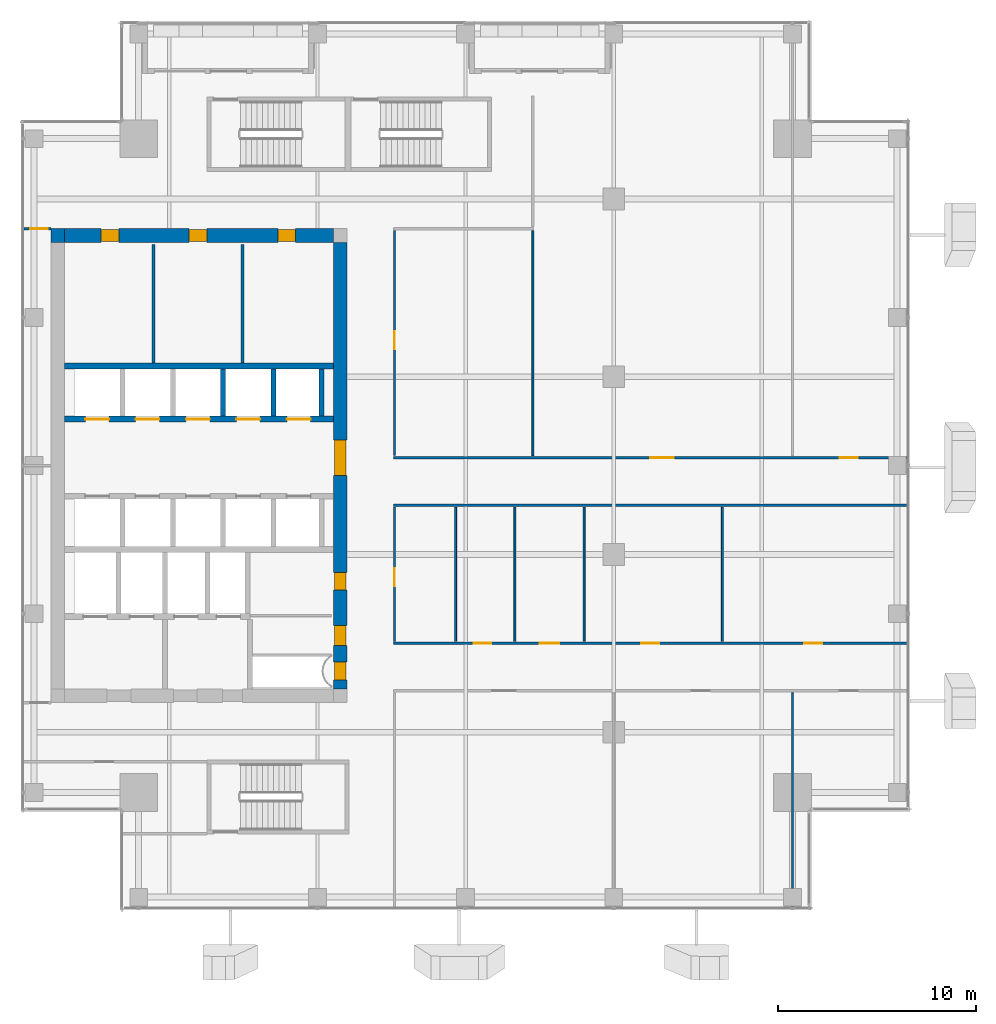
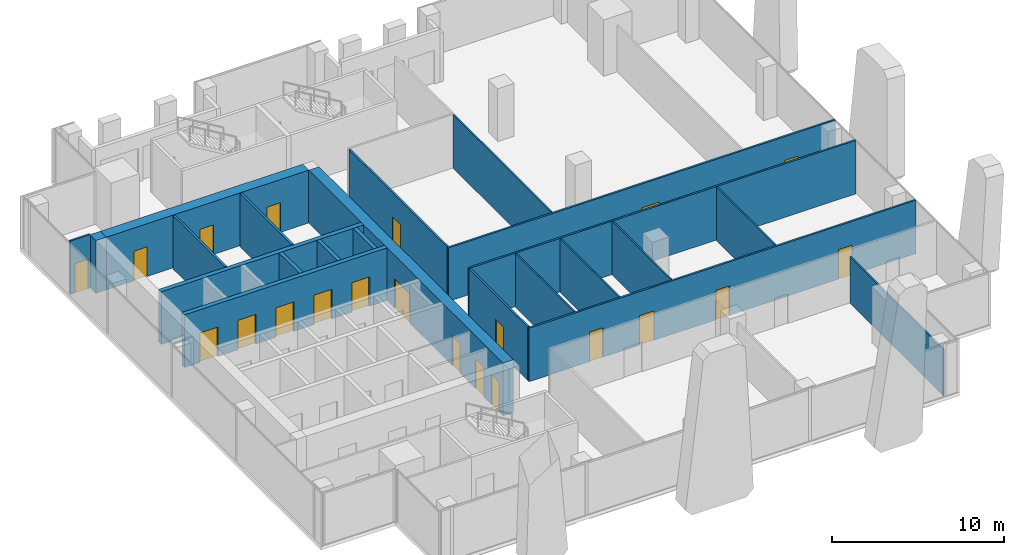
# One storey, part 32 of 36: 22 walls, 21 doors, 21 openings.
"""IFC4 building model written with IfcOpenShell, lengths in metres."""

from ifc_helpers import new_model, si_unit, direction, frame, frame_2d, origin, place, context, subcontext, project, spatial, rectangle, extrude, source, transform, mapped, material, layer, layer_set, type_object, element, fill, save


model = new_model("IFC4")

# Units and contexts
model_context = context("Model", 3, precision=1e-05, world=origin(), true_north=direction((0.0, 1.0)))
body_context = subcontext(model_context, "Body", "Model", "MODEL_VIEW")
ifc_project = project(units=[si_unit("LENGTHUNIT", "METRE"), si_unit("AREAUNIT", "SQUARE_METRE"), si_unit("VOLUMEUNIT", "CUBIC_METRE"), si_unit("PLANEANGLEUNIT", "RADIAN"), si_unit("MASSUNIT", "GRAM", prefix="KILO")], contexts=[model_context])

# Site, building, storey
site_placement = place(None, origin())
site = spatial("IfcSite", under=ifc_project, at=site_placement, CompositionType="ELEMENT")
building_placement = place(site_placement, origin())
building = spatial("IfcBuilding", under=site, at=building_placement, Name="Khomas Fold Tower", CompositionType="ELEMENT")
storey_placement = place(building_placement, frame((0.0, 0.0, 238.199951171875)))
storey = spatial("IfcBuildingStorey", under=building, at=storey_placement, Name="L53", CompositionType="ELEMENT", Elevation=238.199951171875)

# Walls
ifc_material_1 = material(Name="Concrete C50/60", Category="concrete")
ifc_layer_1 = layer(ifc_material_1, 0.25)
ifc_layer_set_1 = layer_set([ifc_layer_1], Name="Concrete C50/60")
wall_type_1 = type_object("IfcWallType", Name="Shaft wall 250", PredefinedType="STANDARD", material=ifc_layer_set_1)
shared_shape_1 = source(origin(), body_context, "Body", "SweptSolid", [
    extrude(rectangle(XDim=2.39990234375, YDim=0.25, at=frame_2d((1.199951171875, 0.0))), origin(), (0.0, 0.0, 1.0), 3.75),
])
for number, where, z_axis, x_axis, name in (
    (1, (17.27490234375, 29.5, 0.0), (0.0, 0.0, 1.0), (0.0, 1.0, 0.0), "Core wall SW-HRN-MR-P1"),
    (2, (19.699951171875, 29.5, 0.0), (0.0, 0.0, 1.0), (0.0, 1.0, 0.0), "Core wall SW-HRN-MR-PE"),
    (3, (14.72509765625, 29.5, 0.0), (0.0, 0.0, 1.0), (0.0, 1.0, 0.0), "Core wall SW-HRN-PE"),
):
    element("IfcWall", number, at=place(storey_placement, frame(where, z_axis=z_axis, x_axis=x_axis)), inside=storey, type_object=wall_type_1, Name=name, PredefinedType="STANDARD", context=body_context, shape_type="MappedRepresentation", body=[
        mapped(shared_shape_1, transform((0.0, 0.0, 0.0))),
    ])

# Wall, openings, doors
ifc_material_2 = material(Name="Concrete C60/75", Category="concrete")
ifc_layer_2 = layer(ifc_material_2, 0.699951171875)
ifc_layer_set_2 = layer_set([ifc_layer_2], Name="Concrete C60/75")
wall_type_2 = type_object("IfcWallType", Name="Core wall 700", PredefinedType="SHEAR", material=ifc_layer_set_2)
shared_shape_2 = source(origin(), body_context, "Body", "SweptSolid", [
    extrude(rectangle(XDim=13.60009765625, YDim=0.699951171875, at=frame_2d((6.800048828125, 0.0))), origin(), (0.0, 0.0, 1.0), 3.75),
])
wall_1_placement = place(storey_placement, frame((6.699951171875, 38.64990234375, 0.0), z_axis=(0.0, 0.0, 1.0), x_axis=(1.0, 0.0, 0.0)))
wall_1 = element("IfcWall", 4, at=wall_1_placement, inside=storey, type_object=wall_type_2, Name="Core wall CW-U-N-L49", PredefinedType="SHEAR", context=body_context, shape_type="MappedRepresentation", body=[
    mapped(shared_shape_2, transform((0.0, 0.0, 0.0))),
])
shared_shape_3 = source(origin(), body_context, "Body", "SweptSolid", [
    extrude(rectangle(XDim=0.89990234375, YDim=2.10009765625, at=frame_2d((0.449951171875, 1.050048828125))), frame((0.0, 0.35986328125, 0.0), z_axis=(0.0, -1.0, 0.0), x_axis=(1.0, 0.0, 0.0)), (0.0, 0.0, 1.0), 0.719970703125),
])
opening_1_placement = place(wall_1_placement, frame((1.85009765625, 0.0, 0.0)))
opening_1 = element("IfcOpeningElement", 5, at=opening_1_placement, cuts=wall_1, Name="Opening 0003", PredefinedType="OPENING", context=body_context, shape_type="MappedRepresentation", body=[
    mapped(shared_shape_3, transform((0.0, 0.0, 0.0))),
])
opening_2_placement = place(wall_1_placement, frame((6.300048828125, 0.0, 0.0)))
opening_2 = element("IfcOpeningElement", 6, at=opening_2_placement, cuts=wall_1, Name="Opening 0003", PredefinedType="OPENING", context=body_context, shape_type="MappedRepresentation", body=[
    mapped(shared_shape_3, transform((0.0, 0.0, 0.0))),
])
opening_3_placement = place(wall_1_placement, frame((10.800048828125, 0.0, 0.0)))
opening_3 = element("IfcOpeningElement", 7, at=opening_3_placement, cuts=wall_1, Name="Opening 0008", PredefinedType="OPENING", context=body_context, shape_type="MappedRepresentation", body=[
    mapped(shared_shape_3, transform((0.0, 0.0, 0.0))),
])
ifc_material_3 = material(Name="Steel door leaf", Category="steel")
door_type_1 = type_object("IfcDoorType", Name="Plant room door 900x2100 right-hand", OperationType="SINGLE_SWING_RIGHT", PredefinedType="DOOR", material=ifc_material_3)
shared_shape_4 = source(origin(), body_context, "Body", "SweptSolid", [
    extrude(rectangle(XDim=0.89990234375, YDim=2.10009765625, at=frame_2d((0.449951171875, 1.050048828125))), frame((0.0, 0.2998046875, 0.0), z_axis=(0.0, -1.0, 0.0), x_axis=(1.0, 0.0, 0.0)), (0.0, 0.0, 1.0), 0.599853515625),
])
door_1_placement = place(opening_1_placement, origin())
door_1 = element("IfcDoor", 8, at=door_1_placement, inside=storey, type_object=door_type_1, Name="Plant room door", OperationType="SINGLE_SWING_RIGHT", OverallHeight=2.10009765625, OverallWidth=0.89990234375, PredefinedType="DOOR", context=body_context, shape_type="MappedRepresentation", body=[
    mapped(shared_shape_4, transform((0.0, 0.0, 0.0))),
])
fill(opening_1, door_1)
door_2_placement = place(opening_2_placement, origin())
door_2 = element("IfcDoor", 9, at=door_2_placement, inside=storey, type_object=door_type_1, Name="Plant room door", OperationType="SINGLE_SWING_RIGHT", OverallHeight=2.10009765625, OverallWidth=0.89990234375, PredefinedType="DOOR", context=body_context, shape_type="MappedRepresentation", body=[
    mapped(shared_shape_4, transform((0.0, 0.0, 0.0))),
])
fill(opening_2, door_2)
ifc_material_4 = material(Name="Timber door leaf", Category="wood")
door_type_2 = type_object("IfcDoorType", Name="Door 900x2100 right-hand", OperationType="SINGLE_SWING_RIGHT", PredefinedType="DOOR", material=ifc_material_4)
door_3_placement = place(opening_3_placement, origin())
door_3 = element("IfcDoor", 10, at=door_3_placement, inside=storey, type_object=door_type_2, Name="Door", OperationType="SINGLE_SWING_RIGHT", OverallHeight=2.10009765625, OverallWidth=0.89990234375, PredefinedType="DOOR", context=body_context, shape_type="MappedRepresentation", body=[
    mapped(shared_shape_4, transform((0.0, 0.0, 0.0))),
])
fill(opening_3, door_3)

# Wall
ifc_material_5 = material(Name="Concrete C60/75", Category="concrete")
ifc_layer_3 = layer(ifc_material_5, 0.699951171875)
ifc_layer_set_3 = layer_set([ifc_layer_3], Name="Concrete C60/75")
wall_type_3 = type_object("IfcWallType", Name="Core corner wall 700", PredefinedType="SHEAR", material=ifc_layer_set_3)
shared_shape_5 = source(origin(), body_context, "Body", "SweptSolid", [
    extrude(rectangle(XDim=0.699951171875, YDim=0.699951171875, at=frame_2d((0.35009765625, 0.0))), origin(), (0.0, 0.0, 1.0), 3.75),
])
wall_2_placement = place(storey_placement, frame((6.0, 38.64990234375, 0.0), z_axis=(0.0, 0.0, 1.0), x_axis=(1.0, 0.0, 0.0)))
element("IfcWall", 11, at=wall_2_placement, inside=storey, type_object=wall_type_3, Name="Core wall CW-U-NW-L49", PredefinedType="SHEAR", context=body_context, shape_type="MappedRepresentation", body=[
    mapped(shared_shape_5, transform((0.0, 0.0, 0.0))),
])

# Wall, openings, doors
shared_shape_6 = source(origin(), body_context, "Body", "SweptSolid", [
    extrude(rectangle(XDim=22.60009765625, YDim=0.699951171875, at=frame_2d((11.300048828125, 0.0))), origin(), (0.0, 0.0, 1.0), 3.75),
])
wall_3_placement = place(storey_placement, frame((20.64990234375, 15.699951171875, 0.0), z_axis=(0.0, 0.0, 1.0), x_axis=(0.0, 1.0, 0.0)))
wall_3 = element("IfcWall", 12, at=wall_3_placement, inside=storey, type_object=wall_type_2, Name="Core wall CW-U-E-L49", PredefinedType="SHEAR", context=body_context, shape_type="MappedRepresentation", body=[
    mapped(shared_shape_6, transform((0.0, 0.0, 0.0))),
])
shared_shape_7 = source(origin(), body_context, "Body", "SweptSolid", [
    extrude(rectangle(XDim=1.800048828125, YDim=2.10009765625, at=frame_2d((0.89990234375, 1.050048828125))), frame((0.0, 0.35986328125, 0.0), z_axis=(0.0, -1.0, 0.0), x_axis=(1.0, 0.0, 0.0)), (0.0, 0.0, 1.0), 0.719970703125),
])
opening_4_placement = place(wall_3_placement, frame((10.800048828125, 0.0, 0.0)))
opening_4 = element("IfcOpeningElement", 13, at=opening_4_placement, cuts=wall_3, Name="Opening 0015", PredefinedType="OPENING", context=body_context, shape_type="MappedRepresentation", body=[
    mapped(shared_shape_7, transform((0.0, 0.0, 0.0))),
])
opening_5_placement = place(wall_3_placement, frame((0.449951171875, 0.0, 0.0)))
opening_5 = element("IfcOpeningElement", 14, at=opening_5_placement, cuts=wall_3, Name="Opening 0003", PredefinedType="OPENING", context=body_context, shape_type="MappedRepresentation", body=[
    mapped(shared_shape_3, transform((0.0, 0.0, 0.0))),
])
shared_shape_8 = source(origin(), body_context, "Body", "SweptSolid", [
    extrude(rectangle(XDim=1.0, YDim=2.10009765625, at=frame_2d((0.5, 1.050048828125))), frame((0.0, 0.35986328125, 0.0), z_axis=(0.0, -1.0, 0.0), x_axis=(1.0, 0.0, 0.0)), (0.0, 0.0, 1.0), 0.719970703125),
])
opening_6_placement = place(wall_3_placement, frame((2.199951171875, 0.0, 0.0)))
opening_6 = element("IfcOpeningElement", 15, at=opening_6_placement, cuts=wall_3, Name="Opening 0006", PredefinedType="OPENING", context=body_context, shape_type="MappedRepresentation", body=[
    mapped(shared_shape_8, transform((0.0, 0.0, 0.0))),
])
opening_7_placement = place(wall_3_placement, frame((5.0, 0.0, 0.0)))
opening_7 = element("IfcOpeningElement", 16, at=opening_7_placement, cuts=wall_3, Name="Opening 0008", PredefinedType="OPENING", context=body_context, shape_type="MappedRepresentation", body=[
    mapped(shared_shape_3, transform((0.0, 0.0, 0.0))),
])
ifc_material_6 = material(Name="Steel door leaf", Category="steel")
door_type_3 = type_object("IfcDoorType", Name="Lobby door 1800x2100", OperationType="DOUBLE_DOOR_SINGLE_SWING", PredefinedType="DOOR", material=ifc_material_6)
shared_shape_9 = source(origin(), body_context, "Body", "SweptSolid", [
    extrude(rectangle(XDim=1.800048828125, YDim=2.10009765625, at=frame_2d((0.89990234375, 1.050048828125))), frame((0.0, 0.2998046875, 0.0), z_axis=(0.0, -1.0, 0.0), x_axis=(1.0, 0.0, 0.0)), (0.0, 0.0, 1.0), 0.599853515625),
])
door_4_placement = place(opening_4_placement, origin())
door_4 = element("IfcDoor", 17, at=door_4_placement, inside=storey, type_object=door_type_3, Name="Lobby door", OperationType="DOUBLE_DOOR_SINGLE_SWING", OverallHeight=2.10009765625, OverallWidth=1.800048828125, PredefinedType="DOOR", context=body_context, shape_type="MappedRepresentation", body=[
    mapped(shared_shape_9, transform((0.0, 0.0, 0.0))),
])
fill(opening_4, door_4)
door_5_placement = place(opening_5_placement, origin())
door_5 = element("IfcDoor", 18, at=door_5_placement, inside=storey, type_object=door_type_1, Name="Plant room door", OperationType="SINGLE_SWING_RIGHT", OverallHeight=2.10009765625, OverallWidth=0.89990234375, PredefinedType="DOOR", context=body_context, shape_type="MappedRepresentation", body=[
    mapped(shared_shape_4, transform((0.0, 0.0, 0.0))),
])
fill(opening_5, door_5)
door_6_placement = place(opening_7_placement, origin())
door_6 = element("IfcDoor", 19, at=door_6_placement, inside=storey, type_object=door_type_2, Name="Door", OperationType="SINGLE_SWING_RIGHT", OverallHeight=2.10009765625, OverallWidth=0.89990234375, PredefinedType="DOOR", context=body_context, shape_type="MappedRepresentation", body=[
    mapped(shared_shape_4, transform((0.0, 0.0, 0.0))),
])
fill(opening_7, door_6)
ifc_material_7 = material(Name="Timber door leaf", Category="wood")
door_type_4 = type_object("IfcDoorType", Name="WC door 1000x2100 right-hand", OperationType="SINGLE_SWING_RIGHT", PredefinedType="DOOR", material=ifc_material_7)
shared_shape_10 = source(origin(), body_context, "Body", "SweptSolid", [
    extrude(rectangle(XDim=1.0, YDim=2.10009765625, at=frame_2d((0.5, 1.050048828125))), frame((0.0, 0.2998046875, 0.0), z_axis=(0.0, -1.0, 0.0), x_axis=(1.0, 0.0, 0.0)), (0.0, 0.0, 1.0), 0.599853515625),
])
door_7_placement = place(opening_6_placement, origin())
door_7 = element("IfcDoor", 20, at=door_7_placement, inside=storey, type_object=door_type_4, Name="WC door", OperationType="SINGLE_SWING_RIGHT", OverallHeight=2.10009765625, OverallWidth=1.0, PredefinedType="DOOR", context=body_context, shape_type="MappedRepresentation", body=[
    mapped(shared_shape_10, transform((0.0, 0.0, 0.0))),
])
fill(opening_6, door_7)

# Wall
ifc_material_8 = material(Name="Concrete C50/60", Category="concrete")
ifc_layer_4 = layer(ifc_material_8, 0.300048828125)
ifc_layer_set_4 = layer_set([ifc_layer_4], Name="Concrete C50/60")
wall_type_4 = type_object("IfcWallType", Name="Shaft wall 300", PredefinedType="STANDARD", material=ifc_layer_set_4)
shared_shape_11 = source(origin(), body_context, "Body", "SweptSolid", [
    extrude(rectangle(XDim=13.60009765625, YDim=0.300048828125, at=frame_2d((6.800048828125, 0.0))), origin(), (0.0, 0.0, 1.0), 3.75),
])
wall_4_placement = place(storey_placement, frame((6.699951171875, 32.050048828125, 0.0), z_axis=(0.0, 0.0, 1.0), x_axis=(1.0, 0.0, 0.0)))
element("IfcWall", 21, at=wall_4_placement, inside=storey, type_object=wall_type_4, Name="Core wall SW-HRN-B", PredefinedType="STANDARD", context=body_context, shape_type="MappedRepresentation", body=[
    mapped(shared_shape_11, transform((0.0, 0.0, 0.0))),
])

# Wall, openings, doors
wall_5_placement = place(storey_placement, frame((6.699951171875, 29.35009765625, 0.0), z_axis=(0.0, 0.0, 1.0), x_axis=(1.0, 0.0, 0.0)))
wall_5 = element("IfcWall", 22, at=wall_5_placement, inside=storey, type_object=wall_type_4, Name="Core wall SW-HRN-F", PredefinedType="STANDARD", context=body_context, shape_type="MappedRepresentation", body=[
    mapped(shared_shape_11, transform((0.0, 0.0, 0.0))),
])
shared_shape_12 = source(origin(), body_context, "Body", "SweptSolid", [
    extrude(rectangle(XDim=1.199951171875, YDim=2.10009765625, at=frame_2d((0.60009765625, 1.050048828125))), frame((0.0, 0.159912109375, 0.0), z_axis=(0.0, -1.0, 0.0), x_axis=(1.0, 0.0, 0.0)), (0.0, 0.0, 1.0), 0.320068359375),
])
opening_8_placement = place(wall_5_placement, frame((1.050048828125, 0.0, 0.0)))
opening_8 = element("IfcOpeningElement", 23, at=opening_8_placement, cuts=wall_5, Name="Opening LD-HR4", PredefinedType="OPENING", context=body_context, shape_type="MappedRepresentation", body=[
    mapped(shared_shape_12, transform((0.0, 0.0, 0.0))),
])
opening_9_placement = place(wall_5_placement, frame((3.60009765625, 0.0, 0.0)))
opening_9 = element("IfcOpeningElement", 24, at=opening_9_placement, cuts=wall_5, Name="Opening LD-HR5", PredefinedType="OPENING", context=body_context, shape_type="MappedRepresentation", body=[
    mapped(shared_shape_12, transform((0.0, 0.0, 0.0))),
])
opening_10_placement = place(wall_5_placement, frame((6.14990234375, 0.0, 0.0)))
opening_10 = element("IfcOpeningElement", 25, at=opening_10_placement, cuts=wall_5, Name="Opening LD-HR6", PredefinedType="OPENING", context=body_context, shape_type="MappedRepresentation", body=[
    mapped(shared_shape_12, transform((0.0, 0.0, 0.0))),
])
opening_11_placement = place(wall_5_placement, frame((8.699951171875, 0.0, 0.0)))
opening_11 = element("IfcOpeningElement", 26, at=opening_11_placement, cuts=wall_5, Name="Opening LD-MR3", PredefinedType="OPENING", context=body_context, shape_type="MappedRepresentation", body=[
    mapped(shared_shape_12, transform((0.0, 0.0, 0.0))),
])
opening_12_placement = place(wall_5_placement, frame((11.25, 0.0, 0.0)))
opening_12 = element("IfcOpeningElement", 27, at=opening_12_placement, cuts=wall_5, Name="Opening LD-MR4", PredefinedType="OPENING", context=body_context, shape_type="MappedRepresentation", body=[
    mapped(shared_shape_12, transform((0.0, 0.0, 0.0))),
])
ifc_material_9 = material(Name="Steel door leaf", Category="steel")
door_type_5 = type_object("IfcDoorType", Name="Landing door 1200x2100", OperationType="DOUBLE_DOOR_SLIDING", PredefinedType="DOOR", material=ifc_material_9)
shared_shape_13 = source(origin(), body_context, "Body", "SweptSolid", [
    extrude(rectangle(XDim=1.199951171875, YDim=2.10009765625, at=frame_2d((0.60009765625, 1.050048828125))), frame((0.0, 0.02490234375, 0.0), z_axis=(0.0, -1.0, 0.0), x_axis=(1.0, 0.0, 0.0)), (0.0, 0.0, 1.0), 0.050048828125),
])
door_8_placement = place(opening_8_placement, origin())
door_8 = element("IfcDoor", 28, at=door_8_placement, inside=storey, type_object=door_type_5, Name="Lift landing door", OperationType="DOUBLE_DOOR_SLIDING", OverallHeight=2.10009765625, OverallWidth=1.199951171875, PredefinedType="DOOR", context=body_context, shape_type="MappedRepresentation", body=[
    mapped(shared_shape_13, transform((0.0, 0.0, 0.0))),
])
fill(opening_8, door_8)
door_9_placement = place(opening_9_placement, origin())
door_9 = element("IfcDoor", 29, at=door_9_placement, inside=storey, type_object=door_type_5, Name="Lift landing door", OperationType="DOUBLE_DOOR_SLIDING", OverallHeight=2.10009765625, OverallWidth=1.199951171875, PredefinedType="DOOR", context=body_context, shape_type="MappedRepresentation", body=[
    mapped(shared_shape_13, transform((0.0, 0.0, 0.0))),
])
fill(opening_9, door_9)
door_10_placement = place(opening_10_placement, origin())
door_10 = element("IfcDoor", 30, at=door_10_placement, inside=storey, type_object=door_type_5, Name="Lift landing door", OperationType="DOUBLE_DOOR_SLIDING", OverallHeight=2.10009765625, OverallWidth=1.199951171875, PredefinedType="DOOR", context=body_context, shape_type="MappedRepresentation", body=[
    mapped(shared_shape_13, transform((0.0, 0.0, 0.0))),
])
fill(opening_10, door_10)
door_11_placement = place(opening_11_placement, origin())
door_11 = element("IfcDoor", 31, at=door_11_placement, inside=storey, type_object=door_type_5, Name="Lift landing door", OperationType="DOUBLE_DOOR_SLIDING", OverallHeight=2.10009765625, OverallWidth=1.199951171875, PredefinedType="DOOR", context=body_context, shape_type="MappedRepresentation", body=[
    mapped(shared_shape_13, transform((0.0, 0.0, 0.0))),
])
fill(opening_11, door_11)
door_12_placement = place(opening_12_placement, origin())
door_12 = element("IfcDoor", 32, at=door_12_placement, inside=storey, type_object=door_type_5, Name="Lift landing door", OperationType="DOUBLE_DOOR_SLIDING", OverallHeight=2.10009765625, OverallWidth=1.199951171875, PredefinedType="DOOR", context=body_context, shape_type="MappedRepresentation", body=[
    mapped(shared_shape_13, transform((0.0, 0.0, 0.0))),
])
fill(opening_12, door_12)

# Walls
ifc_material_10 = material(Name="Plasterboard fire partition")
ifc_layer_5 = layer(ifc_material_10, 0.14990234375)
ifc_layer_set_5 = layer_set([ifc_layer_5], Name="Plasterboard fire partition")
wall_type_5 = type_object("IfcWallType", Name="Plant room wall PW3 150", PredefinedType="PARTITIONING", material=ifc_layer_set_5)
shared_shape_14 = source(origin(), body_context, "Body", "SweptSolid", [
    extrude(rectangle(XDim=6.0, YDim=0.14990234375, at=frame_2d((3.0, 0.0))), origin(), (0.0, 0.0, 1.0), 3.800048828125),
])
for number, where, z_axis, x_axis, name in (
    (33, (11.199951171875, 32.199951171875, 0.0), (0.0, 0.0, 1.0), (0.0, 1.0, 0.0), "Plant room wall"),
    (34, (15.699951171875, 32.199951171875, 0.0), (0.0, 0.0, 1.0), (0.0, 1.0, 0.0), "Plant room wall"),
):
    element("IfcWall", number, at=place(storey_placement, frame(where, z_axis=z_axis, x_axis=x_axis)), inside=storey, type_object=wall_type_5, Name=name, PredefinedType="PARTITIONING", context=body_context, shape_type="MappedRepresentation", body=[
        mapped(shared_shape_14, transform((0.0, 0.0, 0.0))),
    ])
ifc_material_11 = material(Name="Plasterboard partition")
ifc_layer_6 = layer(ifc_material_11, 0.10009765625)
ifc_layer_set_6 = layer_set([ifc_layer_6], Name="Plasterboard partition")
wall_type_6 = type_object("IfcWallType", Name="Partition PW1 100", PredefinedType="PARTITIONING", material=ifc_layer_set_6)
shared_shape_15 = source(origin(), body_context, "Body", "SweptSolid", [
    extrude(rectangle(XDim=10.85009765625, YDim=0.10009765625, at=frame_2d((5.425048828125, 0.0))), origin(), (0.0, 0.0, 1.0), 3.300048828125),
])
wall_6_placement = place(storey_placement, frame((43.550048828125, 4.64990234375, 0.0), z_axis=(0.0, 0.0, 1.0), x_axis=(0.0, 1.0, 0.0)))
element("IfcWall", 35, at=wall_6_placement, inside=storey, type_object=wall_type_6, Name="Partition", PredefinedType="PARTITIONING", context=body_context, shape_type="MappedRepresentation", body=[
    mapped(shared_shape_15, transform((0.0, 0.0, 0.0))),
])

# Wall, opening, door
ifc_material_12 = material(Name="Plasterboard partition")
ifc_layer_7 = layer(ifc_material_12, 0.125)
ifc_layer_set_7 = layer_set([ifc_layer_7], Name="Plasterboard partition")
wall_type_7 = type_object("IfcWallType", Name="Partition PW2 125", PredefinedType="PARTITIONING", material=ifc_layer_set_7)
shared_shape_16 = source(origin(), body_context, "Body", "SweptSolid", [
    extrude(rectangle(XDim=1.35009765625, YDim=0.125, at=frame_2d((0.675048828125, 0.0))), origin(), (0.0, 0.0, 1.0), 3.800048828125),
])
wall_7_placement = place(storey_placement, frame((4.64990234375, 39.0, 0.0), z_axis=(0.0, 0.0, 1.0), x_axis=(1.0, 0.0, 0.0)))
wall_7 = element("IfcWall", 36, at=wall_7_placement, inside=storey, type_object=wall_type_7, Name="Partition", PredefinedType="PARTITIONING", context=body_context, shape_type="MappedRepresentation", body=[
    mapped(shared_shape_16, transform((0.0, 0.0, 0.0))),
])
shared_shape_17 = source(origin(), body_context, "Body", "SweptSolid", [
    extrude(rectangle(XDim=0.89990234375, YDim=2.10009765625, at=frame_2d((0.449951171875, 1.050048828125))), frame((0.0, 0.072509765625, 0.0), z_axis=(0.0, -1.0, 0.0), x_axis=(1.0, 0.0, 0.0)), (0.0, 0.0, 1.0), 0.14501953125),
])
opening_13_placement = place(wall_7_placement, frame((0.300048828125, 0.0, 0.0)))
opening_13 = element("IfcOpeningElement", 37, at=opening_13_placement, cuts=wall_7, Name="Opening 0008", PredefinedType="OPENING", context=body_context, shape_type="MappedRepresentation", body=[
    mapped(shared_shape_17, transform((0.0, 0.0, 0.0))),
])
shared_shape_18 = source(origin(), body_context, "Body", "SweptSolid", [
    extrude(rectangle(XDim=0.89990234375, YDim=2.10009765625, at=frame_2d((0.449951171875, 1.050048828125))), frame((0.0, 0.02490234375, 0.0), z_axis=(0.0, -1.0, 0.0), x_axis=(1.0, 0.0, 0.0)), (0.0, 0.0, 1.0), 0.050048828125),
])
door_13_placement = place(opening_13_placement, origin())
door_13 = element("IfcDoor", 38, at=door_13_placement, inside=storey, type_object=door_type_2, Name="Door", OperationType="SINGLE_SWING_RIGHT", OverallHeight=2.10009765625, OverallWidth=0.89990234375, PredefinedType="DOOR", context=body_context, shape_type="MappedRepresentation", body=[
    mapped(shared_shape_18, transform((0.0, 0.0, 0.0))),
])
fill(opening_13, door_13)

# Wall, openings, doors
shared_shape_19 = source(origin(), body_context, "Body", "SweptSolid", [
    extrude(rectangle(XDim=26.0, YDim=0.125, at=frame_2d((13.0, 0.0))), origin(), (0.0, 0.0, 1.0), 3.800048828125),
])
wall_8_placement = place(storey_placement, frame((23.35009765625, 18.0, 0.0), z_axis=(0.0, 0.0, 1.0), x_axis=(1.0, 0.0, 0.0)))
wall_8 = element("IfcWall", 39, at=wall_8_placement, inside=storey, type_object=wall_type_7, Name="Partition", PredefinedType="PARTITIONING", context=body_context, shape_type="MappedRepresentation", body=[
    mapped(shared_shape_19, transform((0.0, 0.0, 0.0))),
])
opening_14_placement = place(wall_8_placement, frame((4.050048828125, 0.0, 0.0)))
opening_14 = element("IfcOpeningElement", 40, at=opening_14_placement, cuts=wall_8, Name="Opening 0004", PredefinedType="OPENING", context=body_context, shape_type="MappedRepresentation", body=[
    mapped(shared_shape_17, transform((0.0, 0.0, 0.0))),
])
shared_shape_20 = source(origin(), body_context, "Body", "SweptSolid", [
    extrude(rectangle(XDim=1.0, YDim=2.10009765625, at=frame_2d((0.5, 1.050048828125))), frame((0.0, 0.072509765625, 0.0), z_axis=(0.0, -1.0, 0.0), x_axis=(1.0, 0.0, 0.0)), (0.0, 0.0, 1.0), 0.14501953125),
])
opening_15_placement = place(wall_8_placement, frame((7.39990234375, 0.0, 0.0)))
opening_15 = element("IfcOpeningElement", 41, at=opening_15_placement, cuts=wall_8, Name="Opening 0006", PredefinedType="OPENING", context=body_context, shape_type="MappedRepresentation", body=[
    mapped(shared_shape_20, transform((0.0, 0.0, 0.0))),
])
opening_16_placement = place(wall_8_placement, frame((12.550048828125, 0.0, 0.0)))
opening_16 = element("IfcOpeningElement", 42, at=opening_16_placement, cuts=wall_8, Name="Opening 0008", PredefinedType="OPENING", context=body_context, shape_type="MappedRepresentation", body=[
    mapped(shared_shape_17, transform((0.0, 0.0, 0.0))),
])
opening_17_placement = place(wall_8_placement, frame((20.800048828125, 0.0, 0.0)))
opening_17 = element("IfcOpeningElement", 43, at=opening_17_placement, cuts=wall_8, Name="Opening 0008", PredefinedType="OPENING", context=body_context, shape_type="MappedRepresentation", body=[
    mapped(shared_shape_17, transform((0.0, 0.0, 0.0))),
])
ifc_material_13 = material(Name="Timber door leaf", Category="wood")
door_type_6 = type_object("IfcDoorType", Name="WC door 900x2100 right-hand", OperationType="SINGLE_SWING_RIGHT", PredefinedType="DOOR", material=ifc_material_13)
door_14_placement = place(opening_14_placement, origin())
door_14 = element("IfcDoor", 44, at=door_14_placement, inside=storey, type_object=door_type_6, Name="WC door", OperationType="SINGLE_SWING_RIGHT", OverallHeight=2.10009765625, OverallWidth=0.89990234375, PredefinedType="DOOR", context=body_context, shape_type="MappedRepresentation", body=[
    mapped(shared_shape_18, transform((0.0, 0.0, 0.0))),
])
fill(opening_14, door_14)
door_15_placement = place(opening_16_placement, origin())
door_15 = element("IfcDoor", 45, at=door_15_placement, inside=storey, type_object=door_type_2, Name="Door", OperationType="SINGLE_SWING_RIGHT", OverallHeight=2.10009765625, OverallWidth=0.89990234375, PredefinedType="DOOR", context=body_context, shape_type="MappedRepresentation", body=[
    mapped(shared_shape_18, transform((0.0, 0.0, 0.0))),
])
fill(opening_16, door_15)
door_16_placement = place(opening_17_placement, origin())
door_16 = element("IfcDoor", 46, at=door_16_placement, inside=storey, type_object=door_type_2, Name="Door", OperationType="SINGLE_SWING_RIGHT", OverallHeight=2.10009765625, OverallWidth=0.89990234375, PredefinedType="DOOR", context=body_context, shape_type="MappedRepresentation", body=[
    mapped(shared_shape_18, transform((0.0, 0.0, 0.0))),
])
fill(opening_17, door_16)
shared_shape_21 = source(origin(), body_context, "Body", "SweptSolid", [
    extrude(rectangle(XDim=1.0, YDim=2.10009765625, at=frame_2d((0.5, 1.050048828125))), frame((0.0, 0.02490234375, 0.0), z_axis=(0.0, -1.0, 0.0), x_axis=(1.0, 0.0, 0.0)), (0.0, 0.0, 1.0), 0.050048828125),
])
door_17_placement = place(opening_15_placement, origin())
door_17 = element("IfcDoor", 47, at=door_17_placement, inside=storey, type_object=door_type_4, Name="WC door", OperationType="SINGLE_SWING_RIGHT", OverallHeight=2.10009765625, OverallWidth=1.0, PredefinedType="DOOR", context=body_context, shape_type="MappedRepresentation", body=[
    mapped(shared_shape_21, transform((0.0, 0.0, 0.0))),
])
fill(opening_15, door_17)

# Wall
wall_9_placement = place(storey_placement, frame((23.35009765625, 25.0, 0.0), z_axis=(0.0, 0.0, 1.0), x_axis=(1.0, 0.0, 0.0)))
element("IfcWall", 48, at=wall_9_placement, inside=storey, type_object=wall_type_7, Name="Partition", PredefinedType="PARTITIONING", context=body_context, shape_type="MappedRepresentation", body=[
    mapped(shared_shape_19, transform((0.0, 0.0, 0.0))),
])

# Wall, openings, doors
wall_10_placement = place(storey_placement, frame((23.35009765625, 27.39990234375, 0.0), z_axis=(0.0, 0.0, 1.0), x_axis=(1.0, 0.0, 0.0)))
wall_10 = element("IfcWall", 49, at=wall_10_placement, inside=storey, type_object=wall_type_7, Name="Partition", PredefinedType="PARTITIONING", context=body_context, shape_type="MappedRepresentation", body=[
    mapped(shared_shape_19, transform((0.0, 0.0, 0.0))),
])
shared_shape_22 = source(origin(), body_context, "Body", "SweptSolid", [
    extrude(rectangle(XDim=1.199951171875, YDim=2.10009765625, at=frame_2d((0.60009765625, 1.050048828125))), frame((0.0, 0.072509765625, 0.0), z_axis=(0.0, -1.0, 0.0), x_axis=(1.0, 0.0, 0.0)), (0.0, 0.0, 1.0), 0.14501953125),
])
opening_18_placement = place(wall_10_placement, frame((13.0, 0.0, 0.0)))
opening_18 = element("IfcOpeningElement", 50, at=opening_18_placement, cuts=wall_10, Name="Opening 0001", PredefinedType="OPENING", context=body_context, shape_type="MappedRepresentation", body=[
    mapped(shared_shape_22, transform((0.0, 0.0, 0.0))),
])
opening_19_placement = place(wall_10_placement, frame((22.60009765625, 0.0, 0.0)))
opening_19 = element("IfcOpeningElement", 51, at=opening_19_placement, cuts=wall_10, Name="Opening 0008", PredefinedType="OPENING", context=body_context, shape_type="MappedRepresentation", body=[
    mapped(shared_shape_17, transform((0.0, 0.0, 0.0))),
])
door_18_placement = place(opening_19_placement, origin())
door_18 = element("IfcDoor", 52, at=door_18_placement, inside=storey, type_object=door_type_2, Name="Door", OperationType="SINGLE_SWING_RIGHT", OverallHeight=2.10009765625, OverallWidth=0.89990234375, PredefinedType="DOOR", context=body_context, shape_type="MappedRepresentation", body=[
    mapped(shared_shape_18, transform((0.0, 0.0, 0.0))),
])
fill(opening_19, door_18)
ifc_material_14 = material(Name="Timber door leaf", Category="wood")
door_type_7 = type_object("IfcDoorType", Name="Door 1200x2100 right-hand", OperationType="SINGLE_SWING_RIGHT", PredefinedType="DOOR", material=ifc_material_14)
door_19_placement = place(opening_18_placement, origin())
door_19 = element("IfcDoor", 53, at=door_19_placement, inside=storey, type_object=door_type_7, Name="Door", OperationType="SINGLE_SWING_RIGHT", OverallHeight=2.10009765625, OverallWidth=1.199951171875, PredefinedType="DOOR", context=body_context, shape_type="MappedRepresentation", body=[
    mapped(shared_shape_13, transform((0.0, 0.0, 0.0))),
])
fill(opening_18, door_19)

# Wall, opening, door
shared_shape_23 = source(origin(), body_context, "Body", "SweptSolid", [
    extrude(rectangle(XDim=6.7998046875, YDim=0.125, at=frame_2d((3.39990234375, 0.0))), origin(), (0.0, 0.0, 1.0), 3.800048828125),
])
wall_11_placement = place(storey_placement, frame((23.39990234375, 18.10009765625, 0.0), z_axis=(0.0, 0.0, 1.0), x_axis=(0.0, 1.0, 0.0)))
wall_11 = element("IfcWall", 54, at=wall_11_placement, inside=storey, type_object=wall_type_7, Name="Partition", PredefinedType="PARTITIONING", context=body_context, shape_type="MappedRepresentation", body=[
    mapped(shared_shape_23, transform((0.0, 0.0, 0.0))),
])
opening_20_placement = place(wall_11_placement, frame((2.800048828125, 0.0, 0.0)))
opening_20 = element("IfcOpeningElement", 55, at=opening_20_placement, cuts=wall_11, Name="Opening 0005", PredefinedType="OPENING", context=body_context, shape_type="MappedRepresentation", body=[
    mapped(shared_shape_17, transform((0.0, 0.0, 0.0))),
])
ifc_material_15 = material(Name="Timber door leaf", Category="wood")
door_type_8 = type_object("IfcDoorType", Name="WC door 900x2100 left-hand", OperationType="SINGLE_SWING_LEFT", PredefinedType="DOOR", material=ifc_material_15)
door_20_placement = place(opening_20_placement, origin())
door_20 = element("IfcDoor", 56, at=door_20_placement, inside=storey, type_object=door_type_8, Name="WC door", OperationType="SINGLE_SWING_LEFT", OverallHeight=2.10009765625, OverallWidth=0.89990234375, PredefinedType="DOOR", context=body_context, shape_type="MappedRepresentation", body=[
    mapped(shared_shape_18, transform((0.0, 0.0, 0.0))),
])
fill(opening_20, door_20)

# Walls
shared_shape_24 = source(origin(), body_context, "Body", "SweptSolid", [
    extrude(rectangle(XDim=6.7998046875, YDim=0.10009765625, at=frame_2d((3.39990234375, 0.0))), origin(), (0.0, 0.0, 1.0), 3.800048828125),
])
for number, where, z_axis, x_axis, name in (
    (57, (26.5, 18.10009765625, 0.0), (0.0, 0.0, 1.0), (0.0, 1.0, 0.0), "Partition"),
    (58, (29.5, 18.10009765625, 0.0), (0.0, 0.0, 1.0), (0.0, 1.0, 0.0), "Partition"),
    (59, (33.0, 18.10009765625, 0.0), (0.0, 0.0, 1.0), (0.0, 1.0, 0.0), "Partition"),
    (60, (40.0, 18.10009765625, 0.0), (0.0, 0.0, 1.0), (0.0, 1.0, 0.0), "Partition"),
):
    element("IfcWall", number, at=place(storey_placement, frame(where, z_axis=z_axis, x_axis=x_axis)), inside=storey, type_object=wall_type_6, Name=name, PredefinedType="PARTITIONING", context=body_context, shape_type="MappedRepresentation", body=[
        mapped(shared_shape_24, transform((0.0, 0.0, 0.0))),
    ])

# Wall, opening, door
shared_shape_25 = source(origin(), body_context, "Body", "SweptSolid", [
    extrude(rectangle(XDim=11.39990234375, YDim=0.125, at=frame_2d((5.699951171875, 0.0))), origin(), (0.0, 0.0, 1.0), 3.800048828125),
])
wall_12_placement = place(storey_placement, frame((23.39990234375, 27.5, 0.0), z_axis=(0.0, 0.0, 1.0), x_axis=(0.0, 1.0, 0.0)))
wall_12 = element("IfcWall", 61, at=wall_12_placement, inside=storey, type_object=wall_type_7, Name="Partition", PredefinedType="PARTITIONING", context=body_context, shape_type="MappedRepresentation", body=[
    mapped(shared_shape_25, transform((0.0, 0.0, 0.0))),
])
opening_21_placement = place(wall_12_placement, frame((5.39990234375, 0.0, 0.0)))
opening_21 = element("IfcOpeningElement", 62, at=opening_21_placement, cuts=wall_12, Name="Opening 0008", PredefinedType="OPENING", context=body_context, shape_type="MappedRepresentation", body=[
    mapped(shared_shape_17, transform((0.0, 0.0, 0.0))),
])
door_21_placement = place(opening_21_placement, origin())
door_21 = element("IfcDoor", 63, at=door_21_placement, inside=storey, type_object=door_type_2, Name="Door", OperationType="SINGLE_SWING_RIGHT", OverallHeight=2.10009765625, OverallWidth=0.89990234375, PredefinedType="DOOR", context=body_context, shape_type="MappedRepresentation", body=[
    mapped(shared_shape_18, transform((0.0, 0.0, 0.0))),
])
fill(opening_21, door_21)

# Wall
shared_shape_26 = source(origin(), body_context, "Body", "SweptSolid", [
    extrude(rectangle(XDim=11.39990234375, YDim=0.10009765625, at=frame_2d((5.699951171875, 0.0))), origin(), (0.0, 0.0, 1.0), 3.800048828125),
])
wall_13_placement = place(storey_placement, frame((30.39990234375, 27.5, 0.0), z_axis=(0.0, 0.0, 1.0), x_axis=(0.0, 1.0, 0.0)))
element("IfcWall", 64, at=wall_13_placement, inside=storey, type_object=wall_type_6, Name="Partition", PredefinedType="PARTITIONING", context=body_context, shape_type="MappedRepresentation", body=[
    mapped(shared_shape_26, transform((0.0, 0.0, 0.0))),
])

save(model, "model.ifc")
